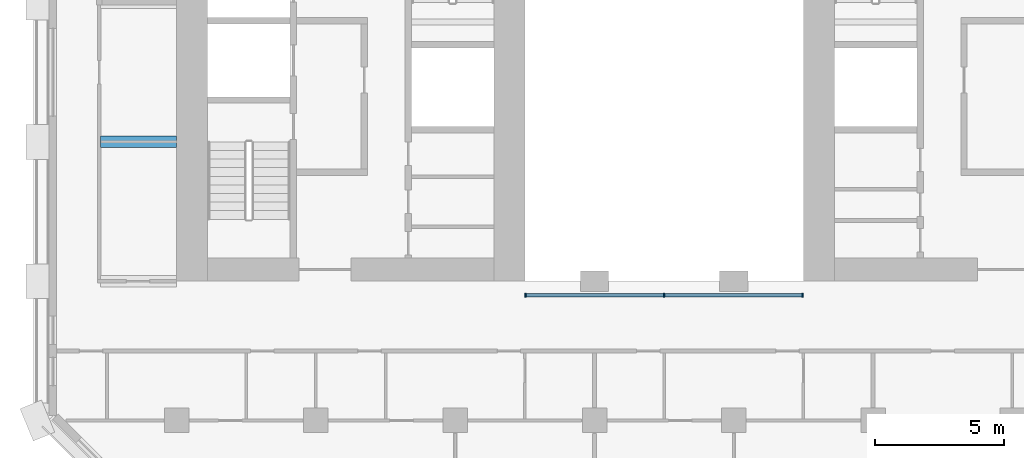
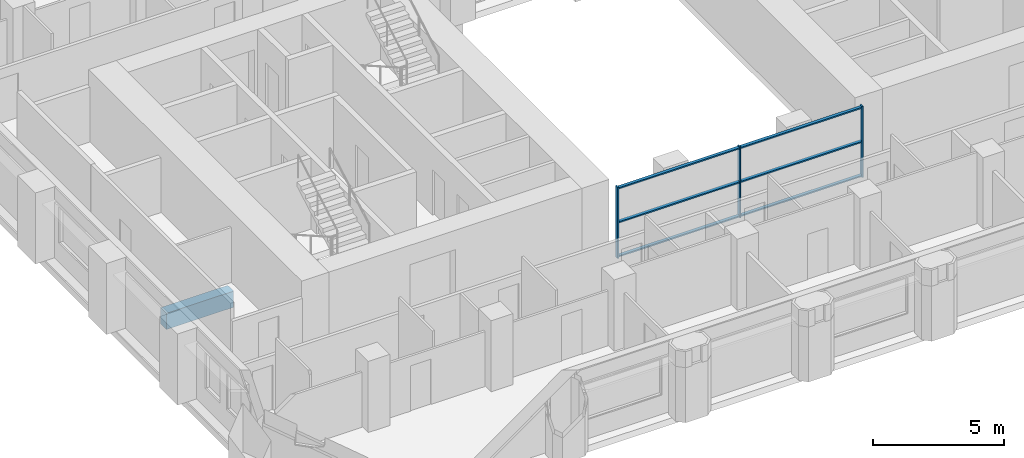
# One storey, part 2 of 13: 9 members, 1 beam, 1 element without a shape of its own.
"""IFC4 building model written with IfcOpenShell, lengths in metres."""

from ifc_helpers import new_model, si_unit, direction, frame, origin, origin_2d, place, context, subcontext, project, spatial, rectangle, extrude, material, material_profile, profile_set, type_object, element, aggregate, save


model = new_model("IFC4")

# Units and contexts
model_context = context("Model", 3, precision=1e-05, world=origin(), true_north=direction((0.0, 1.0)))
body_context = subcontext(model_context, "Body", "Model", "MODEL_VIEW")
ifc_project = project(units=[si_unit("LENGTHUNIT", "METRE"), si_unit("AREAUNIT", "SQUARE_METRE"), si_unit("VOLUMEUNIT", "CUBIC_METRE"), si_unit("PLANEANGLEUNIT", "RADIAN"), si_unit("MASSUNIT", "GRAM", prefix="KILO")], contexts=[model_context])

# Site, building, storey
site_placement = place(None, origin())
site = spatial("IfcSite", under=ifc_project, at=site_placement, CompositionType="ELEMENT")
building_placement = place(site_placement, origin())
building = spatial("IfcBuilding", under=site, at=building_placement, Name="Tabaq Tower and Sports Hall", CompositionType="ELEMENT")
storey_placement = place(building_placement, frame((0.0, 0.0, 122.0)))
storey = spatial("IfcBuildingStorey", under=building, at=storey_placement, Name="L29", CompositionType="ELEMENT", Elevation=122.0)

# Curtain wall, members
ifc_material_1 = material(Name="Aluminium alloy 6063-T6 framed glazing", Category="aluminium")
curtain_wall_type = type_object("IfcCurtainWallType", Name="CW1 curtain wall", PredefinedType="USERDEFINED", material=ifc_material_1)
curtain_wall_placement = place(storey_placement, origin())
curtain_wall = element("IfcCurtainWall", 1, at=curtain_wall_placement, inside=storey, type_object=curtain_wall_type, Name="Atrium glazing L29 S", ObjectType="ATRIUM ENCLOSURE", PredefinedType="USERDEFINED")
ifc_material_2 = material(Name="Aluminium alloy 6063-T6", Category="aluminium")
ifc_material_profile_1 = material_profile(ifc_material_2, rectangle(XDim=0.159912109375, YDim=0.06005859375, at=origin_2d()), Name="MULLION 160x60")
ifc_profile_set_1 = profile_set([ifc_material_profile_1], Name="Aluminium alloy 6063-T6")
member_type_1 = type_object("IfcMemberType", Name="CW1 mullion 160x60", PredefinedType="MULLION", material=ifc_profile_set_1)
member_1_placement = place(storey_placement, frame((18.929931640625, 15.64990234375, 0.0), z_axis=(0.0, 0.0, 1.0), x_axis=(0.0, 1.0, 0.0)))
member_1 = element("IfcMember", 2, at=member_1_placement, type_object=member_type_1, Name="CW1 mullion 1", PredefinedType="MULLION", context=body_context, shape_type="SweptSolid", body=[
    extrude(rectangle(XDim=0.159912109375, YDim=0.06005859375, at=origin_2d()), origin(), (0.0, 0.0, 1.0), 3.300048828125),
])
member_2_placement = place(storey_placement, frame((24.300048828125, 15.64990234375, 0.0), z_axis=(0.0, 0.0, 1.0), x_axis=(0.0, 1.0, 0.0)))
member_2 = element("IfcMember", 3, at=member_2_placement, type_object=member_type_1, Name="CW1 mullion 2", PredefinedType="MULLION", context=body_context, shape_type="SweptSolid", body=[
    extrude(rectangle(XDim=0.159912109375, YDim=0.06005859375, at=origin_2d()), origin(), (0.0, 0.0, 1.0), 3.300048828125),
])
member_3_placement = place(storey_placement, frame((29.669921875, 15.64990234375, 0.0), z_axis=(0.0, 0.0, 1.0), x_axis=(0.0, 1.0, 0.0)))
member_3 = element("IfcMember", 4, at=member_3_placement, type_object=member_type_1, Name="CW1 mullion 3", PredefinedType="MULLION", context=body_context, shape_type="SweptSolid", body=[
    extrude(rectangle(XDim=0.159912109375, YDim=0.06005859375, at=origin_2d()), origin(), (0.0, 0.0, 1.0), 3.300048828125),
])
ifc_material_3 = material(Name="Aluminium alloy 6063-T6", Category="aluminium")
ifc_material_profile_2 = material_profile(ifc_material_3, rectangle(XDim=0.139892578125, YDim=0.06005859375, at=origin_2d()), Name="TRANSOM 140x60")
ifc_profile_set_2 = profile_set([ifc_material_profile_2], Name="Aluminium alloy 6063-T6")
member_type_2 = type_object("IfcMemberType", Name="CW1 transom 140x60", PredefinedType="USERDEFINED", material=ifc_profile_set_2)
member_4_placement = place(storey_placement, frame((18.9599609375, 15.64990234375, 0.070068359375), z_axis=(1.0, 0.0, 0.0), x_axis=(0.0, 1.0, 0.0)))
member_4 = element("IfcMember", 5, at=member_4_placement, type_object=member_type_2, Name="CW1 transom 1.1", ObjectType="TRANSOM", PredefinedType="USERDEFINED", context=body_context, shape_type="SweptSolid", body=[
    extrude(rectangle(XDim=0.139892578125, YDim=0.06005859375, at=origin_2d()), origin(), (0.0, 0.0, 1.0), 5.31005859375),
])
member_5_placement = place(storey_placement, frame((18.9599609375, 15.64990234375, 1.64990234375), z_axis=(1.0, 0.0, 0.0), x_axis=(0.0, 1.0, 0.0)))
member_5 = element("IfcMember", 6, at=member_5_placement, type_object=member_type_2, Name="CW1 transom 1.2", ObjectType="TRANSOM", PredefinedType="USERDEFINED", context=body_context, shape_type="SweptSolid", body=[
    extrude(rectangle(XDim=0.139892578125, YDim=0.06005859375, at=origin_2d()), origin(), (0.0, 0.0, 1.0), 5.31005859375),
])
member_6_placement = place(storey_placement, frame((18.9599609375, 15.64990234375, 3.22998046875), z_axis=(1.0, 0.0, 0.0), x_axis=(0.0, 1.0, 0.0)))
member_6 = element("IfcMember", 7, at=member_6_placement, type_object=member_type_2, Name="CW1 transom 1.3", ObjectType="TRANSOM", PredefinedType="USERDEFINED", context=body_context, shape_type="SweptSolid", body=[
    extrude(rectangle(XDim=0.139892578125, YDim=0.06005859375, at=origin_2d()), origin(), (0.0, 0.0, 1.0), 5.31005859375),
])
member_7_placement = place(storey_placement, frame((24.330078125, 15.64990234375, 0.070068359375), z_axis=(1.0, 0.0, 0.0), x_axis=(0.0, 1.0, 0.0)))
member_7 = element("IfcMember", 8, at=member_7_placement, type_object=member_type_2, Name="CW1 transom 2.1", ObjectType="TRANSOM", PredefinedType="USERDEFINED", context=body_context, shape_type="SweptSolid", body=[
    extrude(rectangle(XDim=0.139892578125, YDim=0.06005859375, at=origin_2d()), origin(), (0.0, 0.0, 1.0), 5.309814453125),
])
member_8_placement = place(storey_placement, frame((24.330078125, 15.64990234375, 1.64990234375), z_axis=(1.0, 0.0, 0.0), x_axis=(0.0, 1.0, 0.0)))
member_8 = element("IfcMember", 9, at=member_8_placement, type_object=member_type_2, Name="CW1 transom 2.2", ObjectType="TRANSOM", PredefinedType="USERDEFINED", context=body_context, shape_type="SweptSolid", body=[
    extrude(rectangle(XDim=0.139892578125, YDim=0.06005859375, at=origin_2d()), origin(), (0.0, 0.0, 1.0), 5.309814453125),
])
member_9_placement = place(storey_placement, frame((24.330078125, 15.64990234375, 3.22998046875), z_axis=(1.0, 0.0, 0.0), x_axis=(0.0, 1.0, 0.0)))
member_9 = element("IfcMember", 10, at=member_9_placement, type_object=member_type_2, Name="CW1 transom 2.3", ObjectType="TRANSOM", PredefinedType="USERDEFINED", context=body_context, shape_type="SweptSolid", body=[
    extrude(rectangle(XDim=0.139892578125, YDim=0.06005859375, at=origin_2d()), origin(), (0.0, 0.0, 1.0), 5.309814453125),
])
aggregate(curtain_wall, [member_1, member_2, member_3, member_4, member_5, member_6, member_7, member_8, member_9])

# Beam
ifc_material_4 = material(Name="Concrete C40/50", Category="concrete")
ifc_material_profile_3 = material_profile(ifc_material_4, rectangle(XDim=0.449951171875, YDim=0.75, at=origin_2d()), Name="CB 450x750")
ifc_profile_set_3 = profile_set([ifc_material_profile_3], Name="Concrete C40/50")
beam_type = type_object("IfcBeamType", Name="PT CANTILEVER BEAM CB 450x750 C40/50", PredefinedType="BEAM", material=ifc_profile_set_3)
beam_placement = place(storey_placement, frame((2.449951171875, 21.60009765625, -0.675048828125), z_axis=(1.0, 0.0, 0.0), x_axis=(0.0, 1.0, 0.0)))
element("IfcBeam", 11, at=beam_placement, inside=storey, type_object=beam_type, Name="Cantilever Beam L29 W4 span 1", PredefinedType="BEAM", context=body_context, shape_type="SweptSolid", body=[
    extrude(rectangle(XDim=0.449951171875, YDim=0.75, at=origin_2d()), origin(), (0.0, 0.0, 1.0), 2.949951171875),
])

save(model, "model.ifc")
